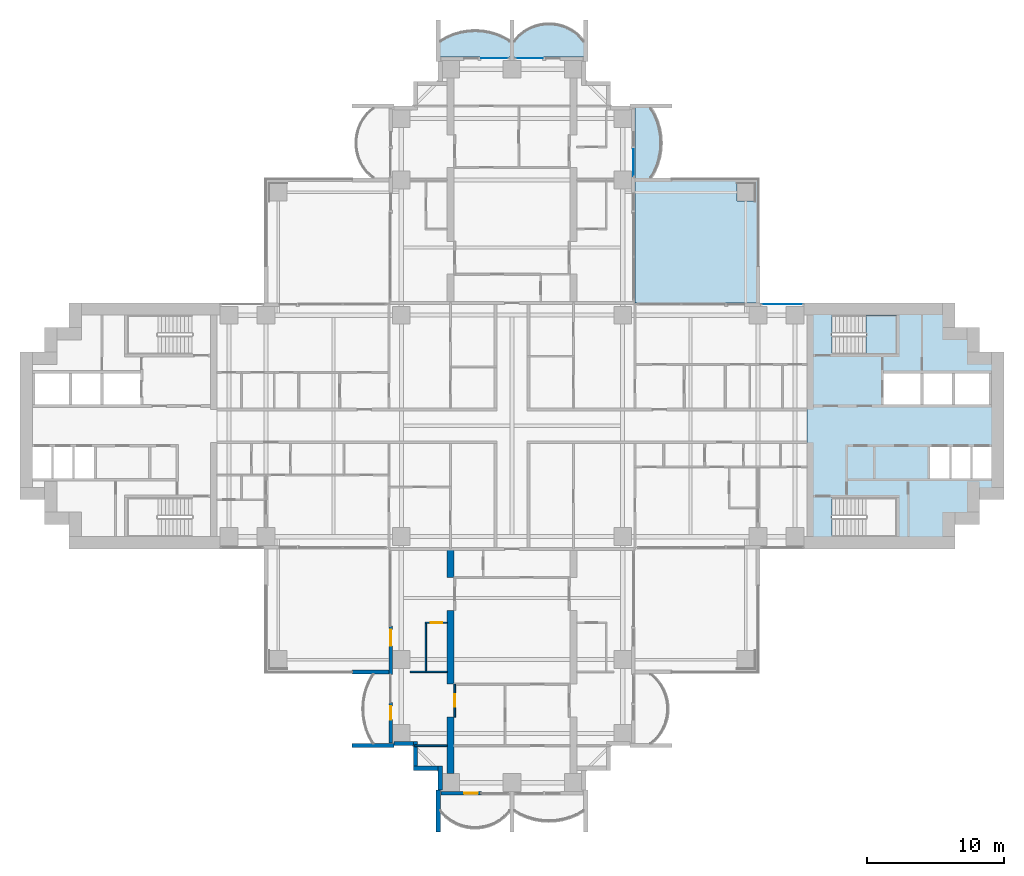
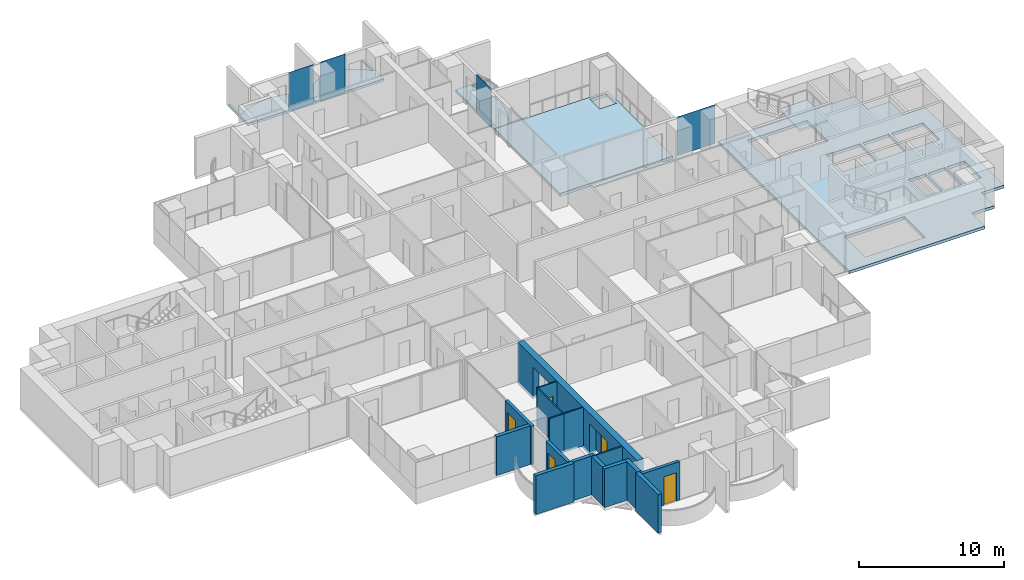
# One storey, part 9 of 21: 17 walls, 6 slabs, 5 doors, 4 plates, 5 openings, 5 elements without a shape of their own.
"""IFC4 building model written with IfcOpenShell, lengths in metres."""

import ifcopenshell
import ifcopenshell.guid

model = None  # the IFC model being written
_history = None  # IfcOwnerHistory: only IFC2X3 demands one
_inside = {}  # id of a spatial element -> (the spatial element, [elements in it])
_under = {}  # id of a project, library or spatial element -> (it, [spatial elements below it])
_declared = {}  # id of a project -> (the project, [libraries it declares])
_typed = {}  # id of a type object -> (the type object, [elements of that type])
_made_of = {}  # id of a material, layer set ... -> (it, [elements and type objects made of it])


def new_model(schema):
    """Start an empty IFC model of exactly this schema.

    Asked for "IFC4X3", IfcOpenShell would pick the latest addendum, in which some entities
    have other attributes; the version numbers below select the first issue.
    IFC2X3 requires an IfcOwnerHistory on every rooted entity: one is made here for all.
    """
    global model, _history
    if schema == "IFC4X3":
        model = ifcopenshell.file(schema_version=(4, 3, 0, 0))
    else:
        model = ifcopenshell.file(schema=schema)
    _inside.clear()
    _under.clear()
    _declared.clear()
    _typed.clear()
    _made_of.clear()
    _history = None
    if model.schema == "IFC2X3":
        org = make("IfcOrganization", Name="unknown")
        user = make(
            "IfcPersonAndOrganization",
            ThePerson=make("IfcPerson", FamilyName="unknown"),
            TheOrganization=org,
        )
        app = make(
            "IfcApplication",
            ApplicationDeveloper=org,
            Version="unknown",
            ApplicationFullName="unknown",
            ApplicationIdentifier="unknown",
        )
        _history = make(
            "IfcOwnerHistory",
            OwningUser=user,
            OwningApplication=app,
            ChangeAction="ADDED",
            CreationDate=0,
        )
    return model


def make(cls, **values):
    """One entity of the class cls with the attributes given. An attribute that is None is left unset."""
    return model.create_entity(
        cls, **{name: value for name, value in values.items() if value is not None}
    )


def rooted(cls, **values):
    """An entity with a GlobalId (a new one), such as an element, a storey or a relation."""
    return make(cls, GlobalId=ifcopenshell.guid.new(), OwnerHistory=_history, **values)


def si_unit(unit_type, name, prefix=None):
    """IfcSIUnit, for example si_unit("LENGTHUNIT", "METRE", prefix="MILLI")."""
    return make("IfcSIUnit", UnitType=unit_type, Prefix=prefix, Name=name)


def assignment(units):
    """IfcUnitAssignment: the units of a project."""
    return None if units is None else make("IfcUnitAssignment", Units=units)


def point(xyz):
    """IfcCartesianPoint."""
    return None if xyz is None else make("IfcCartesianPoint", Coordinates=xyz)


def direction(xyz):
    """IfcDirection."""
    return None if xyz is None else make("IfcDirection", DirectionRatios=xyz)


def frame(location, z_axis=None, x_axis=None):
    """IfcAxis2Placement3D, a coordinate frame: its origin and axes. An axis left out is left unset."""
    return make(
        "IfcAxis2Placement3D",
        Location=point(location),
        Axis=direction(z_axis),
        RefDirection=direction(x_axis),
    )


def frame_2d(location, x_axis=None):
    """IfcAxis2Placement2D, a coordinate frame in the plane: its origin and x axis."""
    return make(
        "IfcAxis2Placement2D", Location=point(location), RefDirection=direction(x_axis)
    )


def origin():
    """The frame at (0, 0, 0) with its axes left unset."""
    return frame((0.0, 0.0, 0.0))


def origin_2d():
    """The frame at (0, 0) in the plane with its x axis left unset."""
    return frame_2d((0.0, 0.0))


def place(relative_to, where):
    """IfcLocalPlacement: puts the frame where relative to a parent placement (None: the world)."""
    return make(
        "IfcLocalPlacement", PlacementRelTo=relative_to, RelativePlacement=where
    )


def context(
    kind, dimensions, precision=None, world=None, true_north=None, identifier=None
):
    """IfcGeometricRepresentationContext, for example the 3D "Model" context."""
    return make(
        "IfcGeometricRepresentationContext",
        ContextIdentifier=identifier,
        ContextType=kind,
        CoordinateSpaceDimension=dimensions,
        Precision=precision,
        WorldCoordinateSystem=world,
        TrueNorth=true_north,
    )


def subcontext(parent, identifier, kind, view, scale=None):
    """IfcGeometricRepresentationSubContext, for example "Body" below "Model"."""
    return make(
        "IfcGeometricRepresentationSubContext",
        ContextIdentifier=identifier,
        ContextType=kind,
        ParentContext=parent,
        TargetScale=scale,
        TargetView=view,
    )


def project(units=None, contexts=None):
    """IfcProject with its units and contexts."""
    return rooted(
        "IfcProject",
        Name="project",
        RepresentationContexts=contexts,
        UnitsInContext=assignment(units),
    )


def spatial(cls, under=None, at=None, **own):
    """A site, building, storey or space (cls), placed at a placement, below another one or the project."""
    s = rooted(cls, ObjectPlacement=at, **own)
    if under is not None:
        _under.setdefault(under.id(), (under, []))[1].append(s)
    return s


def polyline(points):
    """IfcPolyline through the points."""
    return make("IfcPolyline", Points=[point(p) for p in points])


def profile(cls, at=None, kind="AREA", **sizes):
    """A parametric profile (cls). Its sizes go by their IFC names, for example OverallWidth=200.0."""
    return make(cls, ProfileType=kind, Position=at, **sizes)


def rectangle(**sizes):
    """IfcRectangleProfileDef."""
    return profile("IfcRectangleProfileDef", **sizes)


def outline(outer, holes=None, kind="AREA"):
    """IfcArbitraryClosedProfileDef: a profile drawn as a closed curve; with holes, ...WithVoids."""
    if holes is None:
        return make("IfcArbitraryClosedProfileDef", ProfileType=kind, OuterCurve=outer)
    return make(
        "IfcArbitraryProfileDefWithVoids",
        ProfileType=kind,
        OuterCurve=outer,
        InnerCurves=holes,
    )


def extrude(swept, where, along, depth):
    """IfcExtrudedAreaSolid: the profile swept, set in the frame where, extruded along a direction by depth."""
    return make(
        "IfcExtrudedAreaSolid",
        SweptArea=swept,
        Position=where,
        ExtrudedDirection=direction(along),
        Depth=depth,
    )


def shape(context_of_items, identifier, shape_type, items):
    """IfcShapeRepresentation: the items that make up one representation, for example the "Body"."""
    return make(
        "IfcShapeRepresentation",
        ContextOfItems=context_of_items,
        RepresentationIdentifier=identifier,
        RepresentationType=shape_type,
        Items=items,
    )


def material(Name=None, Category=None):
    """IfcMaterial."""
    return make("IfcMaterial", Name=Name, Category=Category)


def layer(
    of_material, thickness, ventilated=None, Name=None, Category=None, Priority=None
):
    """IfcMaterialLayer: one layer of a wall or slab, of a material (None: an air gap)."""
    return make(
        "IfcMaterialLayer",
        Material=of_material,
        LayerThickness=thickness,
        IsVentilated=ventilated,
        Name=Name,
        Category=Category,
        Priority=Priority,
    )


def layer_set(layers, Name=None):
    """IfcMaterialLayerSet."""
    return make("IfcMaterialLayerSet", MaterialLayers=layers, LayerSetName=Name)


def material_profile(
    of_material, cross_section, Name=None, Category=None, Priority=None
):
    """IfcMaterialProfile: a cross section and its material."""
    return make(
        "IfcMaterialProfile",
        Name=Name,
        Material=of_material,
        Profile=cross_section,
        Priority=Priority,
        Category=Category,
    )


def profile_set(profiles, Name=None, composite=None):
    """IfcMaterialProfileSet."""
    return make(
        "IfcMaterialProfileSet",
        Name=Name,
        MaterialProfiles=profiles,
        CompositeProfile=composite,
    )


def made_of(thing, what):
    """Note that an element or type object is made of a material, layer set ...; save() writes the relation."""
    if what is not None:
        _made_of.setdefault(what.id(), (what, []))[1].append(thing)
    return thing


def type_object(cls, material=None, **own):
    """A type object (cls), such as IfcWallType, which elements share."""
    return made_of(rooted(cls, **own), material)


def element(
    cls,
    number,
    at=None,
    inside=None,
    cuts=None,
    type_object=None,
    material=None,
    context=None,
    identifier="Body",
    shape_type=None,
    held_by="IfcProductDefinitionShape",
    body=None,
    shapes=None,
    **own,
):
    """One element of the class cls, such as IfcWall. Its Tag is "e" and its number.

    at: its placement. inside: the storey or other place that contains it. cuts: it is an
    opening in that element (IfcRelVoidsElement). A single representation is given by context,
    identifier, shape_type and body (its items); several are given by shapes. held_by: the class
    of the entity that holds the representations. save() writes the other relations.
    """
    e = rooted(cls, Tag="e%d" % number, ObjectPlacement=at, **own)
    if body is not None:
        shapes = [shape(context, identifier, shape_type, body)]
    if shapes is not None:
        e.Representation = make(held_by, Representations=shapes)
    if inside is not None:
        _inside.setdefault(inside.id(), (inside, []))[1].append(e)
    if cuts is not None:
        rooted(
            "IfcRelVoidsElement", RelatingBuildingElement=cuts, RelatedOpeningElement=e
        )
    if type_object is not None:
        _typed.setdefault(type_object.id(), (type_object, []))[1].append(e)
    return made_of(e, material)


def fill(opening, filler):
    """IfcRelFillsElement: the door or window that sits in an opening."""
    return rooted(
        "IfcRelFillsElement",
        RelatingOpeningElement=opening,
        RelatedBuildingElement=filler,
    )


def aggregate(whole, parts):
    """IfcRelAggregates: a whole, such as a stair, and the parts it consists of."""
    return rooted("IfcRelAggregates", RelatingObject=whole, RelatedObjects=parts)


def save(model, path):
    """Write the relations noted so far, then the file.

    IfcRelAggregates (storeys below a building ...), IfcRelContainedInSpatialStructure (elements
    in a storey), IfcRelDefinesByType, IfcRelAssociatesMaterial and IfcRelDeclares: one each for
    every whole, place, type object, material and project.
    """
    for whole, parts in _under.values():
        aggregate(whole, parts)
    for where, things in _inside.values():
        rooted(
            "IfcRelContainedInSpatialStructure",
            RelatedElements=things,
            RelatingStructure=where,
        )
    for kind, things in _typed.values():
        rooted("IfcRelDefinesByType", RelatedObjects=things, RelatingType=kind)
    for what, things in _made_of.values():
        rooted("IfcRelAssociatesMaterial", RelatedObjects=things, RelatingMaterial=what)
    for by, libraries in _declared.values():
        rooted("IfcRelDeclares", RelatingContext=by, RelatedDefinitions=libraries)
    model.write(path)


model = new_model("IFC4")

# Units and contexts
model_context = context("Model", 3, precision=1e-05, world=origin(), true_north=direction((0.0, 1.0)))
body_context = subcontext(model_context, "Body", "Model", "MODEL_VIEW")
ifc_project = project(units=[si_unit("LENGTHUNIT", "METRE"), si_unit("AREAUNIT", "SQUARE_METRE"), si_unit("VOLUMEUNIT", "CUBIC_METRE"), si_unit("PLANEANGLEUNIT", "RADIAN"), si_unit("MASSUNIT", "GRAM", prefix="KILO")], contexts=[model_context])

# Site, building, storey
site_placement = place(None, origin())
site = spatial("IfcSite", under=ifc_project, at=site_placement, CompositionType="ELEMENT")
building_placement = place(site_placement, origin())
building = spatial("IfcBuilding", under=site, at=building_placement, Name="Perihelion Cross Residences", CompositionType="ELEMENT")
storey_placement = place(building_placement, frame((0.0, 0.0, 57.5)))
storey = spatial("IfcBuildingStorey", under=building, at=storey_placement, Name="L11", CompositionType="ELEMENT", Elevation=57.5)

# Slabs
ifc_material_1 = material(Name="Concrete C40/50", Category="concrete")
ifc_layer_1 = layer(ifc_material_1, 0.199951171875)
ifc_layer_set_1 = layer_set([ifc_layer_1], Name="Balcony slab 200")
slab_type_1 = type_object("IfcSlabType", Name="Balcony slab 200", PredefinedType="FLOOR", material=ifc_layer_set_1)
slab_1_placement = place(storey_placement, frame((0.0, 0.0, -0.199951171875)))
element("IfcSlab", 1, at=slab_1_placement, inside=storey, type_object=slab_type_1, Name="Slab BK1 L11 north side east bay 2 balcony", PredefinedType="FLOOR", context=body_context, shape_type="SweptSolid", body=[
    extrude(outline(polyline([(9.0, 18.0), (9.0, 23.39990234375), (11.699951171875, 23.39990234375), (11.699951171875, 23.25), (10.199951171875, 23.25), (10.4853515625, 22.739990234375), (10.694580078125, 22.22998046875), (10.838134765625, 21.719970703125), (10.92236328125, 21.2099609375), (10.949951171875, 20.699951171875), (10.92236328125, 20.18994140625), (10.838134765625, 19.679931640625), (10.694580078125, 19.169921875), (10.4853515625, 18.659912109375), (10.199951171875, 18.14990234375), (11.699951171875, 18.14990234375), (11.699951171875, 18.0), (9.0, 18.0)])), origin(), (0.0, 0.0, 1.0), 0.199951171875),
])
slab_2_placement = place(storey_placement, frame((0.0, 0.0, -0.199951171875)))
element("IfcSlab", 2, at=slab_2_placement, inside=storey, type_object=slab_type_1, Name="Slab BK1 L11 north tip north bay 1 balcony", PredefinedType="FLOOR", context=body_context, shape_type="SweptSolid", body=[
    extrude(outline(polyline([(5.39990234375, 27.0), (0.0, 27.0), (0.0, 29.699951171875), (0.14990234375, 29.699951171875), (0.14990234375, 28.199951171875), (0.542236328125, 28.622314453125), (0.9345703125, 28.924072265625), (1.326904296875, 29.143310546875), (1.71923828125, 29.29736328125), (2.111572265625, 29.39599609375), (2.50390625, 29.444091796875), (2.896240234375, 29.444091796875), (3.28857421875, 29.39599609375), (3.6806640625, 29.29736328125), (4.072998046875, 29.143310546875), (4.46533203125, 28.924072265625), (4.857666015625, 28.622314453125), (5.25, 28.199951171875), (5.25, 29.699951171875), (5.39990234375, 29.699951171875), (5.39990234375, 27.0)])), origin(), (0.0, 0.0, 1.0), 0.199951171875),
])
slab_3_placement = place(storey_placement, frame((0.0, 0.0, -0.199951171875)))
element("IfcSlab", 3, at=slab_3_placement, inside=storey, type_object=slab_type_1, Name="Slab BK1 L11 north tip north bay 2 balcony", PredefinedType="FLOOR", context=body_context, shape_type="SweptSolid", body=[
    extrude(outline(polyline([(0.0, 27.0), (-5.39990234375, 27.0), (-5.39990234375, 29.699951171875), (-5.25, 29.699951171875), (-5.25, 28.199951171875), (-4.739990234375, 28.4853515625), (-4.22998046875, 28.694580078125), (-3.719970703125, 28.838134765625), (-3.2099609375, 28.92236328125), (-2.699951171875, 28.949951171875), (-2.18994140625, 28.92236328125), (-1.679931640625, 28.838134765625), (-1.169921875, 28.694580078125), (-0.659912109375, 28.4853515625), (-0.14990234375, 28.199951171875), (-0.14990234375, 29.699951171875), (0.0, 29.699951171875), (0.0, 27.0)])), origin(), (0.0, 0.0, 1.0), 0.199951171875),
])

# Curtain wall, plate
ifc_material_2 = material(Name="Bronze anodised aluminium, tinted glazing", Category="aluminium")
curtain_wall_type = type_object("IfcCurtainWallType", Name="CW1", PredefinedType="NOTDEFINED", material=ifc_material_2)
curtain_wall_1_placement = place(storey_placement, origin())
curtain_wall_1 = element("IfcCurtainWall", 4, at=curtain_wall_1_placement, inside=storey, type_object=curtain_wall_type, Name="Curtain wall CW1 L11 east side north bay 1", PredefinedType="NOTDEFINED")
ifc_material_3 = material(Name="Tinted laminated glass", Category="glass")
ifc_layer_2 = layer(ifc_material_3, 0.028076171875)
ifc_layer_set_2 = layer_set([ifc_layer_2], Name="CW1 panel")
plate_type = type_object("IfcPlateType", Name="CW1 panel", PredefinedType="CURTAIN_PANEL", material=ifc_layer_set_2)
plate_1_placement = place(storey_placement, frame((19.77490234375, 8.89990234375, 0.0), z_axis=(0.0, 0.0, 1.0), x_axis=(-1.0, 0.0, 0.0)))
plate_1 = element("IfcPlate", 5, at=plate_1_placement, type_object=plate_type, Name="CW1 panel 1", PredefinedType="CURTAIN_PANEL", context=body_context, shape_type="SweptSolid", body=[
    extrude(rectangle(XDim=3.030029296875, YDim=0.028076171875, at=origin_2d()), origin(), (0.0, 0.0, 1.0), 3.25),
])
aggregate(curtain_wall_1, [plate_1])

curtain_wall_2_placement = place(storey_placement, origin())
curtain_wall_2 = element("IfcCurtainWall", 6, at=curtain_wall_2_placement, inside=storey, type_object=curtain_wall_type, Name="Curtain wall CW1 L11 north side east bay 2", PredefinedType="NOTDEFINED")
plate_2_placement = place(storey_placement, frame((8.89990234375, 19.2548828125, 0.0), z_axis=(0.0, 0.0, 1.0), x_axis=(0.0, 1.0, 0.0)))
plate_2 = element("IfcPlate", 7, at=plate_2_placement, type_object=plate_type, Name="CW1 panel 1", PredefinedType="CURTAIN_PANEL", context=body_context, shape_type="SweptSolid", body=[
    extrude(rectangle(XDim=1.989990234375, YDim=0.028076171875, at=origin_2d()), origin(), (0.0, 0.0, 1.0), 3.25),
])
aggregate(curtain_wall_2, [plate_2])

curtain_wall_3_placement = place(storey_placement, origin())
curtain_wall_3 = element("IfcCurtainWall", 8, at=curtain_wall_3_placement, inside=storey, type_object=curtain_wall_type, Name="Curtain wall CW1 L11 north tip north bay 1", PredefinedType="NOTDEFINED")
plate_3_placement = place(storey_placement, frame((1.2548828125, 26.89990234375, 0.0), z_axis=(0.0, 0.0, 1.0), x_axis=(-1.0, 0.0, 0.0)))
plate_3 = element("IfcPlate", 9, at=plate_3_placement, type_object=plate_type, Name="CW1 panel 1", PredefinedType="CURTAIN_PANEL", context=body_context, shape_type="SweptSolid", body=[
    extrude(rectangle(XDim=1.989990234375, YDim=0.028076171875, at=origin_2d()), origin(), (0.0, 0.0, 1.0), 3.25),
])
aggregate(curtain_wall_3, [plate_3])

curtain_wall_4_placement = place(storey_placement, origin())
curtain_wall_4 = element("IfcCurtainWall", 10, at=curtain_wall_4_placement, inside=storey, type_object=curtain_wall_type, Name="Curtain wall CW1 L11 north tip north bay 2", PredefinedType="NOTDEFINED")
plate_4_placement = place(storey_placement, frame((-1.2548828125, 26.89990234375, 0.0), z_axis=(0.0, 0.0, 1.0), x_axis=(-1.0, 0.0, 0.0)))
plate_4 = element("IfcPlate", 11, at=plate_4_placement, type_object=plate_type, Name="CW1 panel 1", PredefinedType="CURTAIN_PANEL", context=body_context, shape_type="SweptSolid", body=[
    extrude(rectangle(XDim=1.989990234375, YDim=0.028076171875, at=origin_2d()), origin(), (0.0, 0.0, 1.0), 3.25),
])
aggregate(curtain_wall_4, [plate_4])

# Slabs
ifc_material_4 = material(Name="Concrete C40/50", Category="concrete")
ifc_layer_3 = layer(ifc_material_4, 0.25)
ifc_layer_set_3 = layer_set([ifc_layer_3], Name="Core floor slab 250")
slab_type_2 = type_object("IfcSlabType", Name="Core floor slab 250", PredefinedType="FLOOR", material=ifc_layer_set_3)
slab_4_placement = place(storey_placement, frame((0.0, 0.0, -0.25)))
element("IfcSlab", 12, at=slab_4_placement, inside=storey, type_object=slab_type_2, Name="East core floor slab", PredefinedType="FLOOR", context=body_context, shape_type="SweptSolid", body=[
    extrude(outline(polyline([(32.39990234375, 7.199951171875), (34.199951171875, 7.199951171875), (34.199951171875, 5.39990234375), (36.0, 5.39990234375), (36.0, -5.39990234375), (34.199951171875, -5.39990234375), (34.199951171875, -7.199951171875), (32.39990234375, -7.199951171875), (32.39990234375, -9.0), (21.60009765625, -9.0), (21.60009765625, 9.0), (32.39990234375, 9.0), (32.39990234375, 7.199951171875)]), holes=[polyline([(23.405029296875, -8.10009765625), (28.14990234375, -8.10009765625), (28.14990234375, -5.25), (23.405029296875, -5.25), (23.405029296875, -8.10009765625)]), polyline([(30.60009765625, -1.550048828125), (30.60009765625, -3.85009765625), (32.0, -3.85009765625), (32.0, -1.550048828125), (30.60009765625, -1.550048828125)]), polyline([(32.14990234375, -1.550048828125), (32.14990234375, -3.85009765625), (33.550048828125, -3.85009765625), (33.550048828125, -1.550048828125), (32.14990234375, -1.550048828125)]), polyline([(33.699951171875, -1.550048828125), (33.699951171875, -3.85009765625), (35.10009765625, -3.85009765625), (35.10009765625, -1.550048828125), (33.699951171875, -1.550048828125)]), polyline([(27.199951171875, 3.85009765625), (27.199951171875, 1.550048828125), (29.89990234375, 1.550048828125), (29.89990234375, 3.85009765625), (27.199951171875, 3.85009765625)]), polyline([(30.10009765625, 3.85009765625), (30.10009765625, 1.550048828125), (32.199951171875, 1.550048828125), (32.199951171875, 3.85009765625), (30.10009765625, 3.85009765625)]), polyline([(32.39990234375, 3.85009765625), (32.39990234375, 1.550048828125), (34.89990234375, 1.550048828125), (34.89990234375, 3.85009765625), (32.39990234375, 3.85009765625)]), polyline([(23.405029296875, 5.25), (28.14990234375, 5.25), (28.14990234375, 8.10009765625), (23.405029296875, 8.10009765625), (23.405029296875, 5.25)])]), origin(), (0.0, 0.0, 1.0), 0.25),
])
ifc_material_5 = material(Name="Concrete C40/50", Category="concrete")
ifc_layer_4 = layer(ifc_material_5, 0.25)
ifc_layer_set_4 = layer_set([ifc_layer_4], Name="Corner terrace slab")
slab_type_3 = type_object("IfcSlabType", Name="Corner terrace slab", PredefinedType="FLOOR", material=ifc_layer_set_4)
slab_5_placement = place(storey_placement, frame((0.0, 0.0, -0.25)))
element("IfcSlab", 13, at=slab_5_placement, inside=storey, type_object=slab_type_3, Name="Slab BK2 L11 pocket north-east", PredefinedType="FLOOR", context=body_context, shape_type="SweptSolid", body=[
    extrude(outline(polyline([(18.0, 9.0), (18.0, 18.0), (9.0, 18.0), (9.0, 9.0), (18.0, 9.0)]), holes=[polyline([(16.449951171875, 16.449951171875), (16.449951171875, 17.7900390625), (17.7900390625, 17.7900390625), (17.7900390625, 16.409912109375), (17.75, 16.409912109375), (17.75, 16.449951171875), (16.449951171875, 16.449951171875)])]), origin(), (0.0, 0.0, 1.0), 0.25),
])

# Stair, slab
ifc_material_6 = material(Name="Concrete C40/50", Category="concrete")
stair_type = type_object("IfcStairType", Name="Exit stair, half-turn", PredefinedType="HALF_TURN_STAIR", material=ifc_material_6)
stair_placement = place(storey_placement, origin())
stair = element("IfcStair", 14, at=stair_placement, inside=storey, type_object=stair_type, Name="L11 East core exit stair 1", PredefinedType="HALF_TURN_STAIR")
ifc_material_7 = material(Name="Concrete C40/50", Category="concrete")
ifc_layer_5 = layer(ifc_material_7, 0.199951171875)
ifc_layer_set_5 = layer_set([ifc_layer_5], Name="Exit stair landing 200")
slab_type_4 = type_object("IfcSlabType", Name="Exit stair landing 200", PredefinedType="LANDING", material=ifc_layer_set_5)
slab_6_placement = place(storey_placement, frame((0.0, 0.0, 1.550048828125)))
slab_6 = element("IfcSlab", 15, at=slab_6_placement, type_object=slab_type_4, Name="ST-E1 landing 1", PredefinedType="LANDING", context=body_context, shape_type="SweptSolid", body=[
    extrude(outline(polyline([(25.919921875, 5.25), (28.14990234375, 5.25), (28.14990234375, 8.10009765625), (25.919921875, 8.10009765625), (25.919921875, 5.25)])), origin(), (0.0, 0.0, 1.0), 0.199951171875),
])
aggregate(stair, [slab_6])

# Wall, opening, door
ifc_material_8 = material(Name="Concrete C30/37, bronze-clad", Category="concrete")
ifc_layer_6 = layer(ifc_material_8, 0.25)
ifc_layer_set_6 = layer_set([ifc_layer_6], Name="Bronze-clad pier wall 250")
wall_type_1 = type_object("IfcWallType", Name="Bronze-clad pier wall 250", PredefinedType="SOLIDWALL", material=ifc_layer_set_6)
wall_1_placement = place(storey_placement, frame((-8.875, -14.64990234375, 0.0), z_axis=(0.0, 0.0, 1.0), x_axis=(0.0, -1.0, 0.0)))
wall_1 = element("IfcWall", 16, at=wall_1_placement, inside=storey, type_object=wall_type_1, Name="Wall FW1 L11 south side west bay 1 pier", PredefinedType="SOLIDWALL", context=body_context, shape_type="SweptSolid", body=[
    extrude(rectangle(XDim=3.550048828125, YDim=0.25, at=frame_2d((1.77490234375, 0.0))), origin(), (0.0, 0.0, 1.0), 3.25),
])
opening_1_placement = place(wall_1_placement, frame((0.25, 0.0, 0.0)))
opening_1 = element("IfcOpeningElement", 17, at=opening_1_placement, cuts=wall_1, Name="Opening L11.E10", PredefinedType="OPENING", context=body_context, shape_type="SweptSolid", body=[
    extrude(rectangle(XDim=1.199951171875, YDim=2.39990234375, at=frame_2d((0.60009765625, 1.199951171875))), frame((0.0, 0.135009765625, 0.0), z_axis=(0.0, -1.0, 0.0), x_axis=(1.0, 0.0, 0.0)), (0.0, 0.0, 1.0), 0.27001953125),
])
ifc_material_9 = material(Name="Bronze anodised aluminium, glazed", Category="aluminium")
door_type_1 = type_object("IfcDoorType", Name="Balcony door 1200 x 2400", OperationType="NOTDEFINED", PredefinedType="DOOR", material=ifc_material_9)
door_1_placement = place(opening_1_placement, origin())
door_1 = element("IfcDoor", 18, at=door_1_placement, inside=storey, type_object=door_type_1, Name="Door L11.E10 south side west bay 1", OperationType="SINGLE_SWING_LEFT", OverallHeight=2.39990234375, OverallWidth=1.199951171875, PredefinedType="DOOR", context=body_context, shape_type="SweptSolid", body=[
    extrude(rectangle(XDim=1.199951171875, YDim=2.39990234375, at=frame_2d((0.60009765625, 1.199951171875))), frame((0.0, 0.02490234375, 0.0), z_axis=(0.0, -1.0, 0.0), x_axis=(1.0, 0.0, 0.0)), (0.0, 0.0, 1.0), 0.050048828125),
])
fill(opening_1, door_1)

wall_2_placement = place(storey_placement, frame((-8.875, -20.25, 0.0), z_axis=(0.0, 0.0, 1.0), x_axis=(0.0, -1.0, 0.0)))
wall_2 = element("IfcWall", 19, at=wall_2_placement, inside=storey, type_object=wall_type_1, Name="Wall FW1 L11 south side west bay 2 pier", PredefinedType="SOLIDWALL", context=body_context, shape_type="SweptSolid", body=[
    extrude(rectangle(XDim=2.949951171875, YDim=0.25, at=frame_2d((1.47509765625, 0.0))), origin(), (0.0, 0.0, 1.0), 3.25),
])
opening_2_placement = place(wall_2_placement, frame((0.25, 0.0, 0.0)))
opening_2 = element("IfcOpeningElement", 20, at=opening_2_placement, cuts=wall_2, Name="Opening L11.E11", PredefinedType="OPENING", context=body_context, shape_type="SweptSolid", body=[
    extrude(rectangle(XDim=1.0, YDim=2.39990234375, at=frame_2d((0.5, 1.199951171875))), frame((0.0, 0.135009765625, 0.0), z_axis=(0.0, -1.0, 0.0), x_axis=(1.0, 0.0, 0.0)), (0.0, 0.0, 1.0), 0.27001953125),
])
ifc_material_10 = material(Name="Bronze anodised aluminium, glazed", Category="aluminium")
door_type_2 = type_object("IfcDoorType", Name="Balcony door 1000 x 2400", OperationType="NOTDEFINED", PredefinedType="DOOR", material=ifc_material_10)
door_2_placement = place(opening_2_placement, origin())
door_2 = element("IfcDoor", 21, at=door_2_placement, inside=storey, type_object=door_type_2, Name="Door L11.E11 south side west bay 2", OperationType="SINGLE_SWING_RIGHT", OverallHeight=2.39990234375, OverallWidth=1.0, PredefinedType="DOOR", context=body_context, shape_type="SweptSolid", body=[
    extrude(rectangle(XDim=1.0, YDim=2.39990234375, at=frame_2d((0.5, 1.199951171875))), frame((0.0, 0.02490234375, 0.0), z_axis=(0.0, -1.0, 0.0), x_axis=(1.0, 0.0, 0.0)), (0.0, 0.0, 1.0), 0.050048828125),
])
fill(opening_2, door_2)

wall_3_placement = place(storey_placement, frame((-5.199951171875, -26.875, 0.0), z_axis=(0.0, 0.0, 1.0), x_axis=(1.0, 0.0, 0.0)))
wall_3 = element("IfcWall", 22, at=wall_3_placement, inside=storey, type_object=wall_type_1, Name="Wall FW1 L11 south tip south bay 1 pier", PredefinedType="SOLIDWALL", context=body_context, shape_type="SweptSolid", body=[
    extrude(rectangle(XDim=2.949951171875, YDim=0.25, at=frame_2d((1.47509765625, 0.0))), origin(), (0.0, 0.0, 1.0), 3.25),
])
opening_3_placement = place(wall_3_placement, frame((1.699951171875, 0.0, 0.0)))
opening_3 = element("IfcOpeningElement", 23, at=opening_3_placement, cuts=wall_3, Name="Opening L11.E12", PredefinedType="OPENING", context=body_context, shape_type="SweptSolid", body=[
    extrude(rectangle(XDim=1.0, YDim=2.39990234375, at=frame_2d((0.5, 1.199951171875))), frame((0.0, 0.135009765625, 0.0), z_axis=(0.0, -1.0, 0.0), x_axis=(1.0, 0.0, 0.0)), (0.0, 0.0, 1.0), 0.27001953125),
])
door_3_placement = place(opening_3_placement, origin())
door_3 = element("IfcDoor", 24, at=door_3_placement, inside=storey, type_object=door_type_2, Name="Door L11.E12 south tip south bay 1", OperationType="SINGLE_SWING_LEFT", OverallHeight=2.39990234375, OverallWidth=1.0, PredefinedType="DOOR", context=body_context, shape_type="SweptSolid", body=[
    extrude(rectangle(XDim=1.0, YDim=2.39990234375, at=frame_2d((0.5, 1.199951171875))), frame((0.0, 0.02490234375, 0.0), z_axis=(0.0, -1.0, 0.0), x_axis=(1.0, 0.0, 0.0)), (0.0, 0.0, 1.0), 0.050048828125),
])
fill(opening_3, door_3)

# Walls
ifc_material_11 = material(Name="Concrete C30/37, bronze-clad", Category="concrete")
ifc_layer_7 = layer(ifc_material_11, 0.300048828125)
ifc_layer_set_7 = layer_set([ifc_layer_7], Name="Bronze-clad serration wall 300")
wall_type_2 = type_object("IfcWallType", Name="Bronze-clad serration wall 300", PredefinedType="SOLIDWALL", material=ifc_layer_set_7)
wall_4_placement = place(storey_placement, frame((-8.64990234375, -23.25, 0.0), z_axis=(0.0, 0.0, 1.0), x_axis=(1.0, 0.0, 0.0)))
element("IfcWall", 25, at=wall_4_placement, inside=storey, type_object=wall_type_2, Name="Wall SR1 L11 south corner south-west 1", PredefinedType="SOLIDWALL", context=body_context, shape_type="SweptSolid", body=[
    extrude(rectangle(XDim=1.449951171875, YDim=0.300048828125, at=frame_2d((0.72509765625, 0.0))), origin(), (0.0, 0.0, 1.0), 3.25),
])
wall_5_placement = place(storey_placement, frame((-7.050048828125, -23.10009765625, 0.0), z_axis=(0.0, 0.0, 1.0), x_axis=(0.0, -1.0, 0.0)))
element("IfcWall", 26, at=wall_5_placement, inside=storey, type_object=wall_type_2, Name="Wall SR1 L11 south corner south-west 2", PredefinedType="SOLIDWALL", context=body_context, shape_type="SweptSolid", body=[
    extrude(rectangle(XDim=1.7998046875, YDim=0.300048828125, at=frame_2d((0.89990234375, 0.0))), origin(), (0.0, 0.0, 1.0), 3.25),
])
wall_6_placement = place(storey_placement, frame((-7.199951171875, -25.050048828125, 0.0), z_axis=(0.0, 0.0, 1.0), x_axis=(1.0, 0.0, 0.0)))
element("IfcWall", 27, at=wall_6_placement, inside=storey, type_object=wall_type_2, Name="Wall SR1 L11 south corner south-west 3", PredefinedType="SOLIDWALL", context=body_context, shape_type="SweptSolid", body=[
    extrude(rectangle(XDim=1.800048828125, YDim=0.300048828125, at=frame_2d((0.89990234375, 0.0))), origin(), (0.0, 0.0, 1.0), 3.25),
])
wall_7_placement = place(storey_placement, frame((-5.25, -24.89990234375, 0.0), z_axis=(0.0, 0.0, 1.0), x_axis=(0.0, -1.0, 0.0)))
element("IfcWall", 28, at=wall_7_placement, inside=storey, type_object=wall_type_2, Name="Wall SR1 L11 south corner south-west 4", PredefinedType="SOLIDWALL", context=body_context, shape_type="SweptSolid", body=[
    extrude(rectangle(XDim=1.75, YDim=0.300048828125, at=frame_2d((0.875, 0.0))), origin(), (0.0, 0.0, 1.0), 3.25),
])

# Wall, opening, door
ifc_material_12 = material(Name="Plasterboard partition")
ifc_layer_8 = layer(ifc_material_12, 0.1201171875)
ifc_layer_set_8 = layer_set([ifc_layer_8], Name="Infill panel 120")
wall_type_3 = type_object("IfcWallType", Name="Infill panel 120", PredefinedType="PARTITIONING", material=ifc_layer_set_8)
wall_8_placement = place(storey_placement, frame((-4.18994140625, -18.89990234375, 0.0), z_axis=(0.0, 0.0, 1.0), x_axis=(0.0, -1.0, 0.0)))
wall_8 = element("IfcWall", 29, at=wall_8_placement, inside=storey, type_object=wall_type_3, Name="Partition L11 WI08", PredefinedType="PARTITIONING", context=body_context, shape_type="SweptSolid", body=[
    extrude(rectangle(XDim=2.400146484375, YDim=0.1201171875, at=frame_2d((1.2001953125, 0.0))), origin(), (0.0, 0.0, 1.0), 2.39990234375),
])
opening_4_placement = place(wall_8_placement, frame((0.75, 0.0, 0.0)))
opening_4 = element("IfcOpeningElement", 30, at=opening_4_placement, cuts=wall_8, Name="Opening L11.A64", PredefinedType="OPENING", context=body_context, shape_type="SweptSolid", body=[
    extrude(rectangle(XDim=0.89990234375, YDim=2.10009765625, at=frame_2d((0.449951171875, 1.050048828125))), frame((0.0, 0.070068359375, 0.0), z_axis=(0.0, -1.0, 0.0), x_axis=(1.0, 0.0, 0.0)), (0.0, 0.0, 1.0), 0.14013671875),
])
ifc_material_13 = material(Name="Timber door leaf", Category="wood")
door_type_3 = type_object("IfcDoorType", Name="Interior room door 900 x 2100", OperationType="SINGLE_SWING_LEFT", PredefinedType="DOOR", material=ifc_material_13)
door_4_placement = place(opening_4_placement, origin())
door_4 = element("IfcDoor", 31, at=door_4_placement, inside=storey, type_object=door_type_3, Name="Door L11.A64", OperationType="SINGLE_SWING_RIGHT", OverallHeight=2.10009765625, OverallWidth=0.89990234375, PredefinedType="DOOR", context=body_context, shape_type="SweptSolid", body=[
    extrude(rectangle(XDim=0.89990234375, YDim=2.10009765625, at=frame_2d((0.449951171875, 1.050048828125))), frame((0.0, 0.02490234375, 0.0), z_axis=(0.0, -1.0, 0.0), x_axis=(1.0, 0.0, 0.0)), (0.0, 0.0, 1.0), 0.050048828125),
])
fill(opening_4, door_4)

# Walls
ifc_material_14 = material(Name="Plasterboard partition")
ifc_layer_9 = layer(ifc_material_14, 0.1201171875)
ifc_layer_set_9 = layer_set([ifc_layer_9], Name="Partition wall 120")
wall_type_4 = type_object("IfcWallType", Name="Partition wall 120", PredefinedType="PARTITIONING", material=ifc_layer_set_9)
wall_9_placement = place(storey_placement, frame((-6.300048828125, -18.0, 0.0), z_axis=(0.0, 0.0, 1.0), x_axis=(-1.0, 0.0, 0.0)))
element("IfcWall", 32, at=wall_9_placement, inside=storey, type_object=wall_type_4, Name="Partition L11 W091", PredefinedType="PARTITIONING", context=body_context, shape_type="SweptSolid", body=[
    extrude(rectangle(XDim=1.14990234375, YDim=0.1201171875, at=frame_2d((0.574951171875, 0.0))), origin(), (0.0, 0.0, 1.0), 3.25),
])
wall_10_placement = place(storey_placement, frame((-4.75, -23.39990234375, 0.0), z_axis=(0.0, 0.0, 1.0), x_axis=(-1.0, 0.0, 0.0)))
element("IfcWall", 33, at=wall_10_placement, inside=storey, type_object=wall_type_4, Name="Partition L11 W093", PredefinedType="PARTITIONING", context=body_context, shape_type="SweptSolid", body=[
    extrude(rectangle(XDim=2.3701171875, YDim=0.1201171875, at=frame_2d((1.18505859375, 0.0))), origin(), (0.0, 0.0, 1.0), 3.25),
])
ifc_material_15 = material(Name="Precast concrete C50/60", Category="concrete")
ifc_layer_10 = layer(ifc_material_15, 0.300048828125)
ifc_layer_set_10 = layer_set([ifc_layer_10], Name="Precast concrete C50/60 blade wall 300")
wall_type_5 = type_object("IfcWallType", Name="Precast concrete C50/60 blade wall 300", PredefinedType="SOLIDWALL", material=ifc_layer_set_10)
wall_11_placement = place(storey_placement, frame((-8.64990234375, -23.39990234375, 0.0), z_axis=(0.0, 0.0, 1.0), x_axis=(-1.0, 0.0, 0.0)))
element("IfcWall", 34, at=wall_11_placement, inside=storey, type_object=wall_type_5, Name="Wall BL1 L11 no. 6", PredefinedType="SOLIDWALL", context=body_context, shape_type="SweptSolid", body=[
    extrude(rectangle(XDim=3.050048828125, YDim=0.300048828125, at=frame_2d((1.52490234375, 0.0))), origin(), (0.0, 0.0, 1.0), 3.25),
])
wall_12_placement = place(storey_placement, frame((-9.0, -18.0, 0.0), z_axis=(0.0, 0.0, 1.0), x_axis=(-1.0, 0.0, 0.0)))
element("IfcWall", 35, at=wall_12_placement, inside=storey, type_object=wall_type_5, Name="Wall BL1 L11 no. 5", PredefinedType="SOLIDWALL", context=body_context, shape_type="SweptSolid", body=[
    extrude(rectangle(XDim=2.699951171875, YDim=0.300048828125, at=frame_2d((1.35009765625, 0.0))), origin(), (0.0, 0.0, 1.0), 3.25),
])
wall_13_placement = place(storey_placement, frame((-5.39990234375, -26.64990234375, 0.0), z_axis=(0.0, 0.0, 1.0), x_axis=(0.0, -1.0, 0.0)))
element("IfcWall", 36, at=wall_13_placement, inside=storey, type_object=wall_type_5, Name="Wall BL1 L11 no. 3", PredefinedType="SOLIDWALL", context=body_context, shape_type="SweptSolid", body=[
    extrude(rectangle(XDim=3.050048828125, YDim=0.300048828125, at=frame_2d((1.52490234375, 0.0))), origin(), (0.0, 0.0, 1.0), 3.25),
])
ifc_material_16 = material(Name="Concrete C60/75", Category="concrete")
ifc_material_profile = material_profile(ifc_material_16, outline(polyline([(0.0, 0.0), (4.14990234375, 0.0), (4.14990234375, 2.64990234375), (6.550048828125, 2.64990234375), (6.550048828125, 0.0), (11.949951171875, 0.0), (11.949951171875, 2.64990234375), (14.35009765625, 2.64990234375), (14.35009765625, 0.0), (16.449951171875, 0.0), (16.449951171875, 3.5), (0.0, 3.5), (0.0, 0.0)])), Name="Tip spine wall")
ifc_profile_set = profile_set([ifc_material_profile], Name="Concrete C60/75")
wall_type_6 = type_object("IfcWallType", Name="Tip spine wall 500 with 2 door openings 16450 long 3500 high concrete C60/75 hand A", PredefinedType="SHEAR", material=ifc_profile_set)
wall_14_placement = place(storey_placement, frame((-4.75, -25.449951171875, -0.25), z_axis=(1.0, 0.0, 0.0), x_axis=(0.0, 1.0, 0.0)))
element("IfcWall", 37, at=wall_14_placement, inside=storey, type_object=wall_type_6, Name="Shear wall SW24 L11 south west", PredefinedType="SHEAR", context=body_context, shape_type="SweptSolid", body=[
    extrude(outline(polyline([(0.0, 0.0), (4.14990234375, 0.0), (4.14990234375, 2.64990234375), (6.550048828125, 2.64990234375), (6.550048828125, 0.0), (11.949951171875, 0.0), (11.949951171875, 2.64990234375), (14.35009765625, 2.64990234375), (14.35009765625, 0.0), (16.449951171875, 0.0), (16.449951171875, 3.5), (0.0, 3.5), (0.0, 0.0)])), origin(), (0.0, 0.0, 1.0), 0.5),
])

# Wall, opening, door
ifc_material_17 = material(Name="Plasterboard partition")
ifc_layer_11 = layer(ifc_material_17, 0.10009765625)
ifc_layer_set_11 = layer_set([ifc_layer_11], Name="Wet room wall 100")
wall_type_7 = type_object("IfcWallType", Name="Wet room wall 100", PredefinedType="PARTITIONING", material=ifc_layer_set_11)
wall_15_placement = place(storey_placement, frame((-4.75, -14.39990234375, 0.0), z_axis=(0.0, 0.0, 1.0), x_axis=(-1.0, 0.0, 0.0)))
wall_15 = element("IfcWall", 38, at=wall_15_placement, inside=storey, type_object=wall_type_7, Name="Partition L11 W089", PredefinedType="PARTITIONING", context=body_context, shape_type="SweptSolid", body=[
    extrude(rectangle(XDim=1.60009765625, YDim=0.10009765625, at=frame_2d((0.800048828125, 0.0))), origin(), (0.0, 0.0, 1.0), 3.25),
])
opening_5_placement = place(wall_15_placement, frame((0.35009765625, 0.0, 0.0)))
opening_5 = element("IfcOpeningElement", 39, at=opening_5_placement, cuts=wall_15, Name="Opening L11.A52", PredefinedType="OPENING", context=body_context, shape_type="SweptSolid", body=[
    extrude(rectangle(XDim=0.85009765625, YDim=2.10009765625, at=frame_2d((0.425048828125, 1.050048828125))), frame((0.0, 0.06005859375, 0.0), z_axis=(0.0, -1.0, 0.0), x_axis=(1.0, 0.0, 0.0)), (0.0, 0.0, 1.0), 0.1201171875),
])
ifc_material_18 = material(Name="Timber door leaf", Category="wood")
door_type_4 = type_object("IfcDoorType", Name="Interior bathroom door 850 x 2100", OperationType="SINGLE_SWING_LEFT", PredefinedType="DOOR", material=ifc_material_18)
door_5_placement = place(opening_5_placement, origin())
door_5 = element("IfcDoor", 40, at=door_5_placement, inside=storey, type_object=door_type_4, Name="Door L11.A52", OperationType="SINGLE_SWING_RIGHT", OverallHeight=2.10009765625, OverallWidth=0.85009765625, PredefinedType="DOOR", context=body_context, shape_type="SweptSolid", body=[
    extrude(rectangle(XDim=0.85009765625, YDim=2.10009765625, at=frame_2d((0.425048828125, 1.050048828125))), frame((0.0, 0.02490234375, 0.0), z_axis=(0.0, -1.0, 0.0), x_axis=(1.0, 0.0, 0.0)), (0.0, 0.0, 1.0), 0.050048828125),
])
fill(opening_5, door_5)

# Walls
wall_16_placement = place(storey_placement, frame((-6.300048828125, -14.449951171875, 0.0), z_axis=(0.0, 0.0, 1.0), x_axis=(0.0, -1.0, 0.0)))
element("IfcWall", 41, at=wall_16_placement, inside=storey, type_object=wall_type_7, Name="Partition L11 W090", PredefinedType="PARTITIONING", context=body_context, shape_type="SweptSolid", body=[
    extrude(rectangle(XDim=3.489990234375, YDim=0.10009765625, at=frame_2d((1.7451171875, 0.0))), origin(), (0.0, 0.0, 1.0), 3.25),
])
wall_17_placement = place(storey_placement, frame((-4.75, -18.0, 0.0), z_axis=(0.0, 0.0, 1.0), x_axis=(-1.0, 0.0, 0.0)))
element("IfcWall", 42, at=wall_17_placement, inside=storey, type_object=wall_type_7, Name="Partition L11 W092", PredefinedType="PARTITIONING", context=body_context, shape_type="SweptSolid", body=[
    extrude(rectangle(XDim=1.550048828125, YDim=0.10009765625, at=frame_2d((0.77490234375, 0.0))), origin(), (0.0, 0.0, 1.0), 3.25),
])

save(model, "model.ifc")
